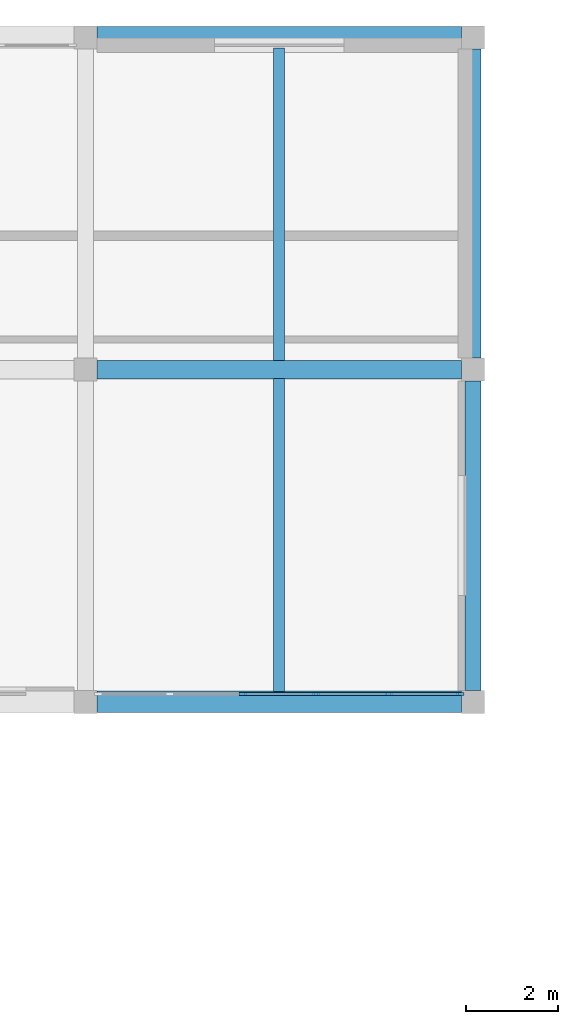
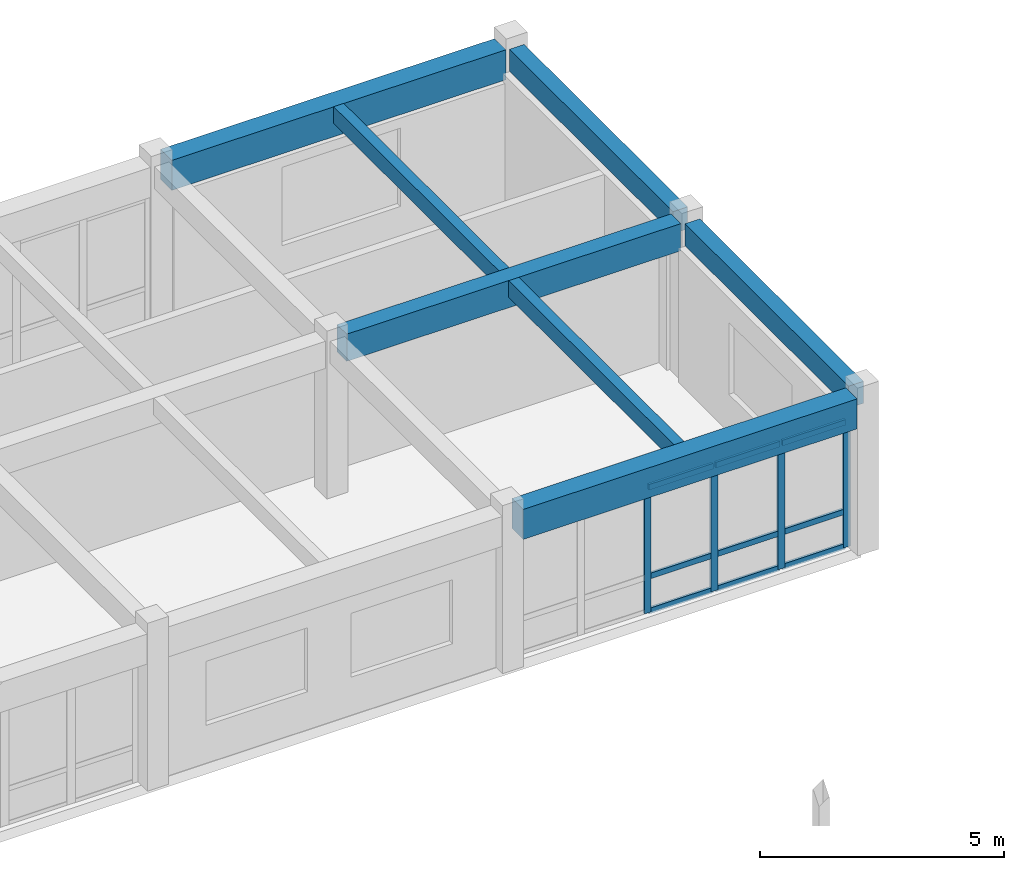
# One storey, part 58 of 89: 13 members, 7 beams, 1 element without a shape of its own.
"""IFC4 building model written with IfcOpenShell, lengths in metres."""

from ifc_helpers import new_model, si_unit, direction, frame, origin, origin_2d, place, context, subcontext, project, spatial, rectangle, extrude, material, material_profile, profile_set, type_object, element, aggregate, save


model = new_model("IFC4")

# Units and contexts
model_context = context("Model", 3, precision=1e-05, world=origin(), true_north=direction((0.0, 1.0)))
body_context = subcontext(model_context, "Body", "Model", "MODEL_VIEW")
ifc_project = project(units=[si_unit("LENGTHUNIT", "METRE"), si_unit("AREAUNIT", "SQUARE_METRE"), si_unit("VOLUMEUNIT", "CUBIC_METRE"), si_unit("PLANEANGLEUNIT", "RADIAN"), si_unit("MASSUNIT", "GRAM", prefix="KILO")], contexts=[model_context])

# Site, building, storey
site_placement = place(None, origin())
site = spatial("IfcSite", under=ifc_project, at=site_placement, CompositionType="ELEMENT")
building_placement = place(site_placement, origin())
building = spatial("IfcBuilding", under=site, at=building_placement, Name="Malvenik Polytechnic", CompositionType="ELEMENT")
storey_placement = place(building_placement, frame((0.0, 0.0, 13.5)))
storey = spatial("IfcBuildingStorey", under=building, at=storey_placement, Name="L03", CompositionType="ELEMENT", Elevation=13.5)

# Curtain wall, members
ifc_material_1 = material(Name="Anodised aluminium 6060-T6", Category="aluminium")
curtain_wall_type = type_object("IfcCurtainWallType", Name="ARC-CW-CW-02", PredefinedType="NOTDEFINED", material=ifc_material_1)
curtain_wall_placement = place(storey_placement, origin())
curtain_wall = element("IfcCurtainWall", 1, at=curtain_wall_placement, inside=storey, type_object=curtain_wall_type, Name="Unitised Curtain Wall CW-02 L03 #182", PredefinedType="NOTDEFINED")
ifc_material_2 = material(Name="Anodised aluminium", Category="aluminium")
ifc_material_profile_1 = material_profile(ifc_material_2, rectangle(XDim=0.06005859375, YDim=0.159912109375, at=origin_2d()), Name="ALU MULLION 60x160")
ifc_profile_set_1 = profile_set([ifc_material_profile_1], Name="Anodised aluminium")
member_type_1 = type_object("IfcMemberType", Name="ARC-CWM-160", PredefinedType="MULLION", material=ifc_profile_set_1)
member_1_placement = place(storey_placement, frame((134.1220703125, 115.3701171875, 0.0), z_axis=(0.0, 0.0, 1.0), x_axis=(0.0, -1.0, 0.0)))
member_1 = element("IfcMember", 2, at=member_1_placement, type_object=member_type_1, Name="CW-02 mullion 1", PredefinedType="MULLION", context=body_context, shape_type="SweptSolid", body=[
    extrude(rectangle(XDim=0.06005859375, YDim=0.159912109375, at=origin_2d()), origin(), (0.0, 0.0, 1.0), 3.159912109375),
])
member_2_placement = place(storey_placement, frame((132.5712890625, 115.3701171875, 0.0), z_axis=(0.0, 0.0, 1.0), x_axis=(0.0, -1.0, 0.0)))
member_2 = element("IfcMember", 3, at=member_2_placement, type_object=member_type_1, Name="CW-02 mullion 2", PredefinedType="MULLION", context=body_context, shape_type="SweptSolid", body=[
    extrude(rectangle(XDim=0.06005859375, YDim=0.159912109375, at=origin_2d()), origin(), (0.0, 0.0, 1.0), 3.159912109375),
])
member_3_placement = place(storey_placement, frame((130.990478515625, 115.3701171875, 0.0), z_axis=(0.0, 0.0, 1.0), x_axis=(0.0, -1.0, 0.0)))
member_3 = element("IfcMember", 4, at=member_3_placement, type_object=member_type_1, Name="CW-02 mullion 3", PredefinedType="MULLION", context=body_context, shape_type="SweptSolid", body=[
    extrude(rectangle(XDim=0.06005859375, YDim=0.159912109375, at=origin_2d()), origin(), (0.0, 0.0, 1.0), 3.159912109375),
])
member_4_placement = place(storey_placement, frame((129.40966796875, 115.3701171875, 0.0), z_axis=(0.0, 0.0, 1.0), x_axis=(0.0, -1.0, 0.0)))
member_4 = element("IfcMember", 5, at=member_4_placement, type_object=member_type_1, Name="CW-02 mullion 4", PredefinedType="MULLION", context=body_context, shape_type="SweptSolid", body=[
    extrude(rectangle(XDim=0.06005859375, YDim=0.159912109375, at=origin_2d()), origin(), (0.0, 0.0, 1.0), 3.159912109375),
])
ifc_material_profile_2 = material_profile(ifc_material_2, rectangle(XDim=0.06005859375, YDim=0.139892578125, at=origin_2d()), Name="ALU TRANSOM 60x140")
ifc_profile_set_2 = profile_set([ifc_material_profile_2], Name="Anodised aluminium")
member_type_2 = type_object("IfcMemberType", Name="ARC-CWT-140", PredefinedType="USERDEFINED", material=ifc_profile_set_2)
member_5_placement = place(storey_placement, frame((134.092041015625, 115.3701171875, 0.030029296875), z_axis=(-1.0, 0.0, 0.0), x_axis=(0.0, -1.0, 0.0)))
member_5 = element("IfcMember", 6, at=member_5_placement, type_object=member_type_2, Name="CW-02 transom 1.1", ObjectType="TRANSOM", PredefinedType="USERDEFINED", context=body_context, shape_type="SweptSolid", body=[
    extrude(rectangle(XDim=0.06005859375, YDim=0.139892578125, at=origin_2d()), origin(), (0.0, 0.0, 1.0), 1.49072265625),
])
member_6_placement = place(storey_placement, frame((134.092041015625, 115.3701171875, 0.89990234375), z_axis=(-1.0, 0.0, 0.0), x_axis=(0.0, -1.0, 0.0)))
member_6 = element("IfcMember", 7, at=member_6_placement, type_object=member_type_2, Name="CW-02 transom 1.2", ObjectType="TRANSOM", PredefinedType="USERDEFINED", context=body_context, shape_type="SweptSolid", body=[
    extrude(rectangle(XDim=0.06005859375, YDim=0.139892578125, at=origin_2d()), origin(), (0.0, 0.0, 1.0), 1.49072265625),
])
member_7_placement = place(storey_placement, frame((134.092041015625, 115.3701171875, 3.1298828125), z_axis=(-1.0, 0.0, 0.0), x_axis=(0.0, -1.0, 0.0)))
member_7 = element("IfcMember", 8, at=member_7_placement, type_object=member_type_2, Name="CW-02 transom 1.3", ObjectType="TRANSOM", PredefinedType="USERDEFINED", context=body_context, shape_type="SweptSolid", body=[
    extrude(rectangle(XDim=0.06005859375, YDim=0.139892578125, at=origin_2d()), origin(), (0.0, 0.0, 1.0), 1.49072265625),
])
member_8_placement = place(storey_placement, frame((132.541259765625, 115.3701171875, 0.030029296875), z_axis=(-1.0, 0.0, 0.0), x_axis=(0.0, -1.0, 0.0)))
member_8 = element("IfcMember", 9, at=member_8_placement, type_object=member_type_2, Name="CW-02 transom 2.1", ObjectType="TRANSOM", PredefinedType="USERDEFINED", context=body_context, shape_type="SweptSolid", body=[
    extrude(rectangle(XDim=0.06005859375, YDim=0.139892578125, at=origin_2d()), origin(), (0.0, 0.0, 1.0), 1.520751953125),
])
member_9_placement = place(storey_placement, frame((132.541259765625, 115.3701171875, 0.89990234375), z_axis=(-1.0, 0.0, 0.0), x_axis=(0.0, -1.0, 0.0)))
member_9 = element("IfcMember", 10, at=member_9_placement, type_object=member_type_2, Name="CW-02 transom 2.2", ObjectType="TRANSOM", PredefinedType="USERDEFINED", context=body_context, shape_type="SweptSolid", body=[
    extrude(rectangle(XDim=0.06005859375, YDim=0.139892578125, at=origin_2d()), origin(), (0.0, 0.0, 1.0), 1.520751953125),
])
member_10_placement = place(storey_placement, frame((132.541259765625, 115.3701171875, 3.1298828125), z_axis=(-1.0, 0.0, 0.0), x_axis=(0.0, -1.0, 0.0)))
member_10 = element("IfcMember", 11, at=member_10_placement, type_object=member_type_2, Name="CW-02 transom 2.3", ObjectType="TRANSOM", PredefinedType="USERDEFINED", context=body_context, shape_type="SweptSolid", body=[
    extrude(rectangle(XDim=0.06005859375, YDim=0.139892578125, at=origin_2d()), origin(), (0.0, 0.0, 1.0), 1.520751953125),
])
member_11_placement = place(storey_placement, frame((130.96044921875, 115.3701171875, 0.030029296875), z_axis=(-1.0, 0.0, 0.0), x_axis=(0.0, -1.0, 0.0)))
member_11 = element("IfcMember", 12, at=member_11_placement, type_object=member_type_2, Name="CW-02 transom 3.1", ObjectType="TRANSOM", PredefinedType="USERDEFINED", context=body_context, shape_type="SweptSolid", body=[
    extrude(rectangle(XDim=0.06005859375, YDim=0.139892578125, at=origin_2d()), origin(), (0.0, 0.0, 1.0), 1.520751953125),
])
member_12_placement = place(storey_placement, frame((130.96044921875, 115.3701171875, 0.89990234375), z_axis=(-1.0, 0.0, 0.0), x_axis=(0.0, -1.0, 0.0)))
member_12 = element("IfcMember", 13, at=member_12_placement, type_object=member_type_2, Name="CW-02 transom 3.2", ObjectType="TRANSOM", PredefinedType="USERDEFINED", context=body_context, shape_type="SweptSolid", body=[
    extrude(rectangle(XDim=0.06005859375, YDim=0.139892578125, at=origin_2d()), origin(), (0.0, 0.0, 1.0), 1.520751953125),
])
member_13_placement = place(storey_placement, frame((130.96044921875, 115.3701171875, 3.1298828125), z_axis=(-1.0, 0.0, 0.0), x_axis=(0.0, -1.0, 0.0)))
member_13 = element("IfcMember", 14, at=member_13_placement, type_object=member_type_2, Name="CW-02 transom 3.3", ObjectType="TRANSOM", PredefinedType="USERDEFINED", context=body_context, shape_type="SweptSolid", body=[
    extrude(rectangle(XDim=0.06005859375, YDim=0.139892578125, at=origin_2d()), origin(), (0.0, 0.0, 1.0), 1.520751953125),
])
aggregate(curtain_wall, [member_1, member_2, member_3, member_4, member_5, member_6, member_7, member_8, member_9, member_10, member_11, member_12, member_13])

# Beams
ifc_material_3 = material(Name="Concrete C35/45", Category="concrete")
ifc_material_profile_3 = material_profile(ifc_material_3, rectangle(XDim=0.39990234375, YDim=0.679931640625, at=origin_2d()), Name="RC BM 400x680")
ifc_profile_set_3 = profile_set([ifc_material_profile_3], Name="Concrete C35/45")
beam_type_1 = type_object("IfcBeamType", Name="STR-BM-B-05", PredefinedType="BEAM", material=ifc_profile_set_3)
beam_1_placement = place(storey_placement, frame((126.248046875, 122.39990234375, 3.580078125), z_axis=(1.0, 0.0, 0.0), x_axis=(0.0, 1.0, 0.0)))
element("IfcBeam", 15, at=beam_1_placement, inside=storey, type_object=beam_type_1, Name="Primary Beam B-05 L03 #1702", PredefinedType="BEAM", context=body_context, shape_type="SweptSolid", body=[
    extrude(rectangle(XDim=0.39990234375, YDim=0.679931640625, at=origin_2d()), origin(), (0.0, 0.0, 1.0), 7.904052734375),
])
ifc_material_profile_4 = material_profile(ifc_material_3, rectangle(XDim=0.35009765625, YDim=0.550048828125, at=origin_2d()), Name="RC BM 350x550")
ifc_profile_set_4 = profile_set([ifc_material_profile_4], Name="Concrete C35/45")
beam_type_2 = type_object("IfcBeamType", Name="STR-BM-B-08", PredefinedType="BEAM", material=ifc_profile_set_4)
for number, where, z_axis, x_axis, name in (
    (16, (134.39990234375, 115.447998046875, 3.64501953125), (0.0, 1.0, 0.0), (-1.0, 0.0, 0.0), "Transverse Beam B-08 L03 #1781"),
    (17, (134.39990234375, 122.64794921875, 3.64501953125), (0.0, 1.0, 0.0), (-1.0, 0.0, 0.0), "Transverse Beam B-08 L03 #1782"),
):
    element("IfcBeam", number, at=place(storey_placement, frame(where, z_axis=z_axis, x_axis=x_axis)), inside=storey, type_object=beam_type_2, Name=name, PredefinedType="BEAM", context=body_context, shape_type="SweptSolid", body=[
        extrude(rectangle(XDim=0.35009765625, YDim=0.550048828125, at=origin_2d()), origin(), (0.0, 0.0, 1.0), 6.7041015625),
    ])
ifc_material_4 = material(Name="Concrete C30/37", Category="concrete")
ifc_material_profile_5 = material_profile(ifc_material_4, rectangle(XDim=0.239990234375, YDim=0.419921875, at=origin_2d()), Name="RC JST 240x420")
ifc_profile_set_5 = profile_set([ifc_material_profile_5], Name="Concrete C30/37")
beam_type_3 = type_object("IfcBeamType", Name="STR-BM-J-03", PredefinedType="JOIST", material=ifc_profile_set_5)
beam_2_placement = place(storey_placement, frame((130.199951171875, 115.427978515625, 3.7099609375), z_axis=(0.0, 1.0, 0.0), x_axis=(-1.0, 0.0, 0.0)))
element("IfcBeam", 18, at=beam_2_placement, inside=storey, type_object=beam_type_3, Name="Secondary Rib Joist J-03 L03 #1825", PredefinedType="JOIST", context=body_context, shape_type="SweptSolid", body=[
    extrude(rectangle(XDim=0.239990234375, YDim=0.419921875, at=origin_2d()), origin(), (0.0, 0.0, 1.0), 6.77392578125),
])
beam_3_placement = place(storey_placement, frame((130.199951171875, 122.597900390625, 3.7099609375), z_axis=(0.0, 1.0, 0.0), x_axis=(-1.0, 0.0, 0.0)))
element("IfcBeam", 19, at=beam_3_placement, inside=storey, type_object=beam_type_3, Name="Secondary Rib Joist J-03 L03 #1826", PredefinedType="JOIST", context=body_context, shape_type="SweptSolid", body=[
    extrude(rectangle(XDim=0.239990234375, YDim=0.419921875, at=origin_2d()), origin(), (0.0, 0.0, 1.0), 6.774169921875),
])
ifc_material_5 = material(Name="Precast concrete C40/50", Category="concrete")
ifc_material_profile_6 = material_profile(ifc_material_5, rectangle(XDim=0.4599609375, YDim=0.75, at=origin_2d()), Name="PC SPN 460x750")
ifc_profile_set_6 = profile_set([ifc_material_profile_6], Name="Precast concrete C40/50")
beam_type_4 = type_object("IfcBeamType", Name="STR-BM-SP-02", PredefinedType="SPANDREL", material=ifc_profile_set_6)
for number, where, z_axis, x_axis, name in (
    (20, (126.248046875, 115.199951171875, 3.544921875), (1.0, 0.0, 0.0), (0.0, 1.0, 0.0), "Primary Beam SP-02 L03 #1692"),
    (21, (126.248046875, 129.60009765625, 3.544921875), (1.0, 0.0, 0.0), (0.0, 1.0, 0.0), "Primary Beam SP-02 L03 #1718"),
):
    element("IfcBeam", number, at=place(storey_placement, frame(where, z_axis=z_axis, x_axis=x_axis)), inside=storey, type_object=beam_type_4, Name=name, PredefinedType="SPANDREL", context=body_context, shape_type="SweptSolid", body=[
        extrude(rectangle(XDim=0.4599609375, YDim=0.75, at=origin_2d()), origin(), (0.0, 0.0, 1.0), 7.904052734375),
    ])

save(model, "model.ifc")
